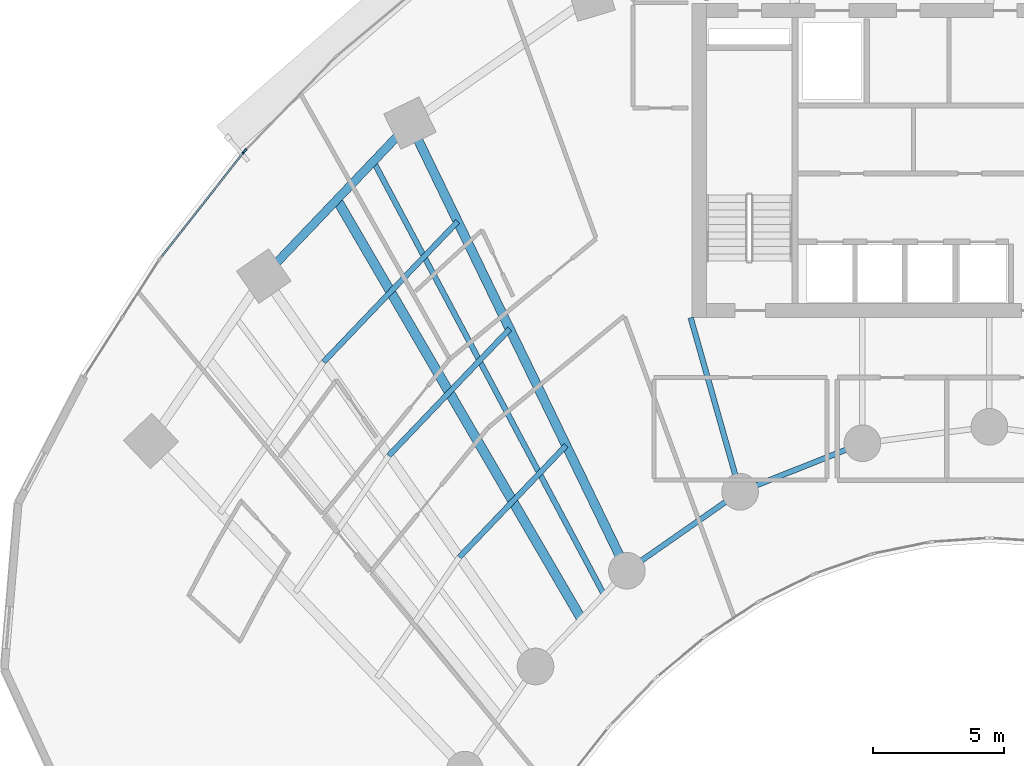
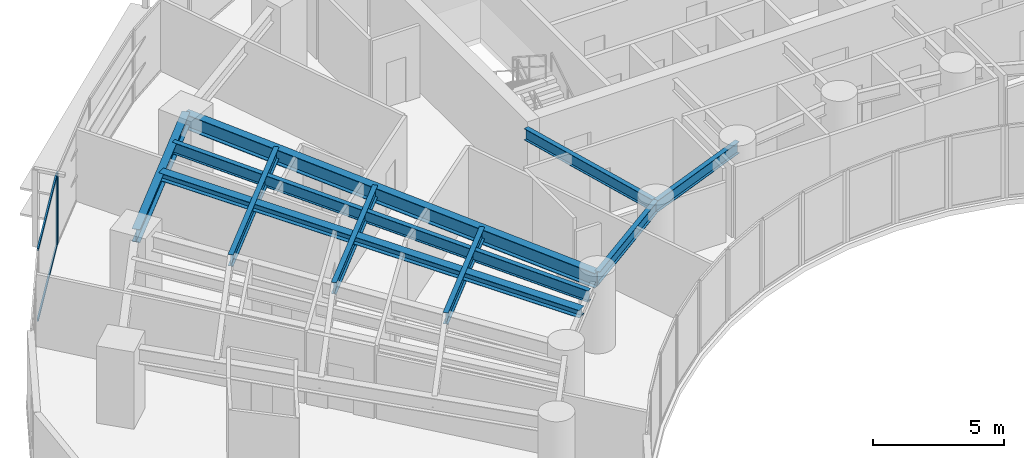
# One storey, part 3 of 17: 10 beams, 4 members, 2 elements without a shape of their own.
"""IFC4 building model written with IfcOpenShell, lengths in metres."""

from ifc_helpers import new_model, si_unit, direction, frame, origin, origin_2d, place, context, subcontext, project, spatial, rectangle, i_section, extrude, source, transform, mapped, material, layer, layer_set, material_profile, profile_set, type_object, type_shapes, element, aggregate, save


model = new_model("IFC4")

# Units and contexts
model_context = context("Model", 3, precision=1e-05, world=origin(), true_north=direction((0.0, 1.0)))
body_context = subcontext(model_context, "Body", "Model", "MODEL_VIEW")
ifc_project = project(units=[si_unit("LENGTHUNIT", "METRE"), si_unit("AREAUNIT", "SQUARE_METRE"), si_unit("VOLUMEUNIT", "CUBIC_METRE"), si_unit("PLANEANGLEUNIT", "RADIAN"), si_unit("MASSUNIT", "GRAM", prefix="KILO")], contexts=[model_context])

# Site, building, storey
site_placement = place(None, origin())
site = spatial("IfcSite", under=ifc_project, at=site_placement, CompositionType="ELEMENT")
building_placement = place(site_placement, origin())
building = spatial("IfcBuilding", under=site, at=building_placement, Name="Breltana Convention Tower", CompositionType="ELEMENT")
storey_placement = place(building_placement, frame((0.0, 0.0, 46.199951171875)))
storey = spatial("IfcBuildingStorey", under=building, at=storey_placement, Name="L09", CompositionType="ELEMENT", Elevation=46.199951171875)

# Beams
ifc_material_1 = material(Name="Steel ASTM A992 Grade 50", Category="steel")
ifc_material_profile_1 = material_profile(ifc_material_1, i_section(OverallWidth=0.323974609375, OverallDepth=0.611083984375, WebThickness=0.0126953125, FlangeThickness=0.01904296875, at=origin_2d()), Name="W24X104")
ifc_profile_set_1 = profile_set([ifc_material_profile_1], Name="Steel ASTM A992 Grade 50")
beam_type_1 = type_object("IfcBeamType", Name="BM-SP-W24X104", PredefinedType="SPANDREL", material=ifc_profile_set_1)
shared_shape_1 = source(origin(), body_context, "Body", "SweptSolid", [
    extrude(i_section(OverallWidth=0.323974609375, OverallDepth=0.611083984375, WebThickness=0.0126953125, FlangeThickness=0.01904296875, at=origin_2d()), origin(), (0.0, 0.0, 1.0), 8.073974609375),
])
beam_1_placement = place(storey_placement, frame((20.310791015625, 61.78857421875, 3.054443359375), z_axis=(0.69072885448, 0.723113856588, 0.0), x_axis=(-0.723113856588, 0.69072885448, 0.0)))
element("IfcBeam", 1, at=beam_1_placement, inside=storey, type_object=beam_type_1, Name="L09 Outer Spandrel Beam 02", PredefinedType="SPANDREL", context=body_context, shape_type="MappedRepresentation", body=[
    mapped(shared_shape_1, transform((0.0, 0.0, 0.0), scale=1.0)),
])
ifc_material_profile_2 = material_profile(ifc_material_1, i_section(OverallWidth=0.35498046875, OverallDepth=0.696044921875, WebThickness=0.015380859375, FlangeThickness=0.02490234375, at=origin_2d()), Name="W27X146")
ifc_profile_set_2 = profile_set([ifc_material_profile_2], Name="Steel ASTM A992 Grade 50")
beam_type_2 = type_object("IfcBeamType", Name="BM-RG-W27X146", PredefinedType="USERDEFINED", material=ifc_profile_set_2)
shared_shape_2 = source(origin(), body_context, "Body", "SweptSolid", [
    extrude(i_section(OverallWidth=0.35498046875, OverallDepth=0.696044921875, WebThickness=0.015380859375, FlangeThickness=0.02490234375, at=origin_2d()), origin(), (0.0, 0.0, 1.0), 18.982421875),
])
beam_2_placement = place(storey_placement, frame((34.166259765625, 50.544921875, 3.011962890625), z_axis=(-0.436118560343, 0.89988921614, 0.0), x_axis=(-0.89988921614, -0.436118560343, 0.0)))
element("IfcBeam", 2, at=beam_2_placement, inside=storey, type_object=beam_type_2, Name="L09 Radial Floor Girder R03", ObjectType="GIRDER", PredefinedType="USERDEFINED", context=body_context, shape_type="MappedRepresentation", body=[
    mapped(shared_shape_2, transform((0.0, 0.0, 0.0), scale=1.0)),
])
ifc_material_profile_3 = material_profile(ifc_material_1, i_section(OverallWidth=0.2099609375, OverallDepth=0.537109375, WebThickness=0.010986328125, FlangeThickness=0.017333984375, at=origin_2d()), Name="W21X68")
ifc_profile_set_3 = profile_set([ifc_material_profile_3], Name="Steel ASTM A992 Grade 50")
beam_type_3 = type_object("IfcBeamType", Name="BM-BM-W21X68", PredefinedType="BEAM", material=ifc_profile_set_3)
shared_shape_3 = source(origin(), body_context, "Body", "SweptSolid", [
    extrude(i_section(OverallWidth=0.2099609375, OverallDepth=0.537109375, WebThickness=0.010986328125, FlangeThickness=0.017333984375, at=origin_2d()), origin(), (0.0, 0.0, 1.0), 6.904541015625),
])
type_shapes(beam_type_3, [shared_shape_3])
beam_3_placement = place(storey_placement, frame((36.60009765625, 60.199951171875, 3.091552734375), z_axis=(0.273006781054, -0.962012108811, 0.0), x_axis=(0.962012108811, 0.273006781054, 0.0)))
element("IfcBeam", 3, at=beam_3_placement, inside=storey, type_object=beam_type_3, Name="L09 South Core Tie Girder R04", PredefinedType="BEAM", context=body_context, shape_type="MappedRepresentation", body=[
    mapped(shared_shape_3, transform((0.0, 0.0, 0.0), scale=1.0)),
])
shared_shape_4 = source(origin(), body_context, "Body", "SweptSolid", [
    extrude(i_section(OverallWidth=0.2099609375, OverallDepth=0.537109375, WebThickness=0.010986328125, FlangeThickness=0.017333984375, at=origin_2d()), origin(), (0.0, 0.0, 1.0), 5.265869140625),
])
beam_4_placement = place(storey_placement, frame((34.166259765625, 50.544921875, 3.091552734375), z_axis=(0.820167429517, 0.572123577176, 0.0), x_axis=(-0.572123577176, 0.820167429517, 0.0)))
element("IfcBeam", 4, at=beam_4_placement, inside=storey, type_object=beam_type_3, Name="L09 Inner Ring Beam 03", PredefinedType="BEAM", context=body_context, shape_type="MappedRepresentation", body=[
    mapped(shared_shape_4, transform((0.0, 0.0, 0.0), scale=1.0)),
])
shared_shape_5 = source(origin(), body_context, "Body", "SweptSolid", [
    extrude(i_section(OverallWidth=0.2099609375, OverallDepth=0.537109375, WebThickness=0.010986328125, FlangeThickness=0.017333984375, at=origin_2d()), origin(), (0.0, 0.0, 1.0), 5.022705078125),
])
beam_5_placement = place(storey_placement, frame((38.485107421875, 53.5576171875, 3.091552734375), z_axis=(0.929458966248, 0.368925507469, 0.0), x_axis=(-0.368925507469, 0.929458966248, 0.0)))
element("IfcBeam", 5, at=beam_5_placement, inside=storey, type_object=beam_type_3, Name="L09 Inner Ring Beam 04", PredefinedType="BEAM", context=body_context, shape_type="MappedRepresentation", body=[
    mapped(shared_shape_5, transform((0.0, 0.0, 0.0), scale=1.0)),
])
ifc_material_profile_4 = material_profile(ifc_material_1, i_section(OverallWidth=0.2099609375, OverallDepth=0.537109375, WebThickness=0.010986328125, FlangeThickness=0.017333984375, at=origin_2d()), Name="W21X68")
ifc_profile_set_4 = profile_set([ifc_material_profile_4], Name="Steel ASTM A992 Grade 50")
beam_type_4 = type_object("IfcBeamType", Name="BM-JSG-04", PredefinedType="JOIST", material=ifc_profile_set_4)
shared_shape_6 = source(origin(), body_context, "Body", "SweptSolid", [
    extrude(i_section(OverallWidth=0.2099609375, OverallDepth=0.537109375, WebThickness=0.010986328125, FlangeThickness=0.017333984375, at=origin_2d()), origin(), (0.0, 0.0, 1.0), 5.8974609375),
])
beam_6_placement = place(storey_placement, frame((27.774658203125, 51.063232421875, 3.091552734375), z_axis=(0.690713978666, 0.723128065888, 0.0), x_axis=(-0.723128065888, 0.690713978666, 0.0)))
element("IfcBeam", 6, at=beam_6_placement, inside=storey, type_object=beam_type_4, Name="L09 Composite Floor Joist 02.1", PredefinedType="JOIST", context=body_context, shape_type="MappedRepresentation", body=[
    mapped(shared_shape_6, transform((0.0, 0.0, 0.0), scale=1.0)),
])
shared_shape_7 = source(origin(), body_context, "Body", "SweptSolid", [
    extrude(i_section(OverallWidth=0.2099609375, OverallDepth=0.537109375, WebThickness=0.010986328125, FlangeThickness=0.017333984375, at=origin_2d()), origin(), (0.0, 0.0, 1.0), 6.68359375),
])
beam_7_placement = place(storey_placement, frame((25.079345703125, 54.936279296875, 3.091552734375), z_axis=(0.690720705885, 0.723121640156, 0.0), x_axis=(-0.723121640156, 0.690720705885, 0.0)))
element("IfcBeam", 7, at=beam_7_placement, inside=storey, type_object=beam_type_4, Name="L09 Composite Floor Joist 02.2", PredefinedType="JOIST", context=body_context, shape_type="MappedRepresentation", body=[
    mapped(shared_shape_7, transform((0.0, 0.0, 0.0), scale=1.0)),
])
shared_shape_8 = source(origin(), body_context, "Body", "SweptSolid", [
    extrude(i_section(OverallWidth=0.2099609375, OverallDepth=0.537109375, WebThickness=0.010986328125, FlangeThickness=0.017333984375, at=origin_2d()), origin(), (0.0, 0.0, 1.0), 7.40869140625),
])
beam_8_placement = place(storey_placement, frame((22.591552734375, 58.511474609375, 3.091552734375), z_axis=(0.690724936208, 0.723117599358, 0.0), x_axis=(-0.723117599358, 0.690724936208, 0.0)))
element("IfcBeam", 8, at=beam_8_placement, inside=storey, type_object=beam_type_4, Name="L09 Composite Floor Joist 02.3", PredefinedType="JOIST", context=body_context, shape_type="MappedRepresentation", body=[
    mapped(shared_shape_8, transform((0.0, 0.0, 0.0), scale=1.0)),
])
ifc_material_profile_5 = material_profile(ifc_material_1, i_section(OverallWidth=0.368896484375, OverallDepth=0.35595703125, WebThickness=0.01123046875, FlangeThickness=0.01806640625, at=origin_2d()), Name="W14X90")
ifc_profile_set_5 = profile_set([ifc_material_profile_5], Name="Steel ASTM A992 Grade 50")
beam_type_5 = type_object("IfcBeamType", Name="BM-JSG-09", PredefinedType="JOIST", material=ifc_profile_set_5)
shared_shape_9 = source(origin(), body_context, "Body", "SweptSolid", [
    extrude(i_section(OverallWidth=0.368896484375, OverallDepth=0.35595703125, WebThickness=0.01123046875, FlangeThickness=0.01806640625, at=origin_2d()), origin(), (0.0, 0.0, 1.0), 18.50830078125),
])
beam_9_placement = place(storey_placement, frame((32.421630859375, 48.71875, 3.18212890625), z_axis=(-0.50368319637, 0.863888440537, 0.0), x_axis=(-0.863888440537, -0.50368319637, 0.0)))
element("IfcBeam", 9, at=beam_9_placement, inside=storey, type_object=beam_type_5, Name="L09 Mid-Bay Radial Trimmer 02", PredefinedType="JOIST", context=body_context, shape_type="MappedRepresentation", body=[
    mapped(shared_shape_9, transform((0.0, 0.0, 0.0), scale=1.0)),
])
shared_shape_10 = source(origin(), body_context, "Body", "SweptSolid", [
    extrude(i_section(OverallWidth=0.2099609375, OverallDepth=0.537109375, WebThickness=0.010986328125, FlangeThickness=0.017333984375, at=origin_2d()), origin(), (0.0, 0.0, 1.0), 18.731689453125),
])
beam_10_placement = place(storey_placement, frame((33.2939453125, 49.6318359375, 3.091552734375), z_axis=(-0.469820250451, 0.882762104004, 0.0), x_axis=(-0.882762104004, -0.469820250451, 0.0)))
element("IfcBeam", 10, at=beam_10_placement, inside=storey, type_object=beam_type_4, Name="L09 Quarter-Bay Radial Trimmer 02", PredefinedType="JOIST", context=body_context, shape_type="MappedRepresentation", body=[
    mapped(shared_shape_10, transform((0.0, 0.0, 0.0), scale=1.0)),
])

# Curtain wall, member
ifc_material_2 = material(Name="Aluminium Anodised Bronze Frame", Category="aluminium")
ifc_layer = layer(ifc_material_2, 0.199951171875, Name="Aluminium Anodised Bronze Frame")
ifc_layer_set = layer_set([ifc_layer], Name="Aluminium Anodised Bronze Frame")
curtain_wall_type = type_object("IfcCurtainWallType", Name="CW-SYS-2", PredefinedType="NOTDEFINED", material=ifc_layer_set)
curtain_wall_1_placement = place(storey_placement, origin())
curtain_wall_1 = element("IfcCurtainWall", 11, at=curtain_wall_1_placement, inside=storey, type_object=curtain_wall_type, Name="L09 outer double-skin inner glazing 2", PredefinedType="NOTDEFINED")
ifc_material_3 = material(Name="Aluminium Anodised Bronze", Category="aluminium")
ifc_material_profile_6 = material_profile(ifc_material_3, rectangle(XDim=0.070068359375, YDim=0.175048828125, at=origin_2d()), Name="CWM-70X175")
ifc_profile_set_6 = profile_set([ifc_material_profile_6], Name="Aluminium Anodised Bronze")
member_type_1 = type_object("IfcMemberType", Name="CWM-175", PredefinedType="MULLION", material=ifc_profile_set_6)
shared_shape_11 = source(origin(), body_context, "Body", "SweptSolid", [
    extrude(rectangle(XDim=0.070068359375, YDim=0.175048828125, at=origin_2d()), origin(), (0.0, 0.0, 1.0), 3.360107421875),
])
type_shapes(member_type_1, [shared_shape_11])
member_1_placement = place(storey_placement, frame((19.545166015625, 66.518798828125, 0.0), z_axis=(0.0, 0.0, 1.0), x_axis=(-0.786057080698, 0.618153917633, 0.0)))
member_1 = element("IfcMember", 12, at=member_1_placement, type_object=member_type_1, Name="CW-02 mullion 2", PredefinedType="MULLION", context=body_context, shape_type="MappedRepresentation", body=[
    mapped(shared_shape_11, transform((0.0, 0.0, 0.0), scale=1.0)),
])

curtain_wall_2_placement = place(storey_placement, origin())
curtain_wall_2 = element("IfcCurtainWall", 13, at=curtain_wall_2_placement, inside=storey, type_object=curtain_wall_type, Name="L09 outer double-skin inner glazing 3", PredefinedType="NOTDEFINED")
member_2_placement = place(storey_placement, frame((19.591064453125, 66.571533203125, 0.0), z_axis=(0.0, 0.0, 1.0), x_axis=(-0.719386421003, 0.694610090106, 0.0)))
member_2 = element("IfcMember", 14, at=member_2_placement, type_object=member_type_1, Name="CW-02 mullion 1", PredefinedType="MULLION", context=body_context, shape_type="MappedRepresentation", body=[
    mapped(shared_shape_11, transform((0.0, 0.0, 0.0), scale=1.0)),
])
aggregate(curtain_wall_2, [member_2])

# Member
ifc_material_profile_7 = material_profile(ifc_material_3, rectangle(XDim=0.070068359375, YDim=0.1201171875, at=origin_2d()), Name="CWT-70X120")
ifc_profile_set_7 = profile_set([ifc_material_profile_7], Name="Aluminium Anodised Bronze")
member_type_2 = type_object("IfcMemberType", Name="CWT-120", PredefinedType="USERDEFINED", material=ifc_profile_set_7)
shared_shape_12 = source(origin(), body_context, "Body", "SweptSolid", [
    extrude(rectangle(XDim=0.070068359375, YDim=0.1201171875, at=origin_2d()), origin(), (0.0, 0.0, 1.0), 5.0546875),
])
member_3_placement = place(storey_placement, frame((16.39892578125, 62.51806640625, 0.03515625), z_axis=(0.618135067667, 0.786071903913, 0.0), x_axis=(-0.786071903913, 0.618135067667, 0.0)))
member_3 = element("IfcMember", 15, at=member_3_placement, type_object=member_type_2, Name="CW-02 transom 1.1", ObjectType="TRANSOM", PredefinedType="USERDEFINED", context=body_context, shape_type="MappedRepresentation", body=[
    mapped(shared_shape_12, transform((0.0, 0.0, 0.0), scale=1.0)),
])

member_4_placement = place(storey_placement, frame((16.39892578125, 62.51806640625, 3.324951171875), z_axis=(0.618135067667, 0.786071903913, 0.0), x_axis=(-0.786071903913, 0.618135067667, 0.0)))
member_4 = element("IfcMember", 16, at=member_4_placement, type_object=member_type_2, Name="CW-02 transom 1.2", ObjectType="TRANSOM", PredefinedType="USERDEFINED", context=body_context, shape_type="MappedRepresentation", body=[
    mapped(shared_shape_12, transform((0.0, 0.0, 0.0), scale=1.0)),
])

aggregate(curtain_wall_1, [member_1, member_3, member_4])

save(model, "model.ifc")
